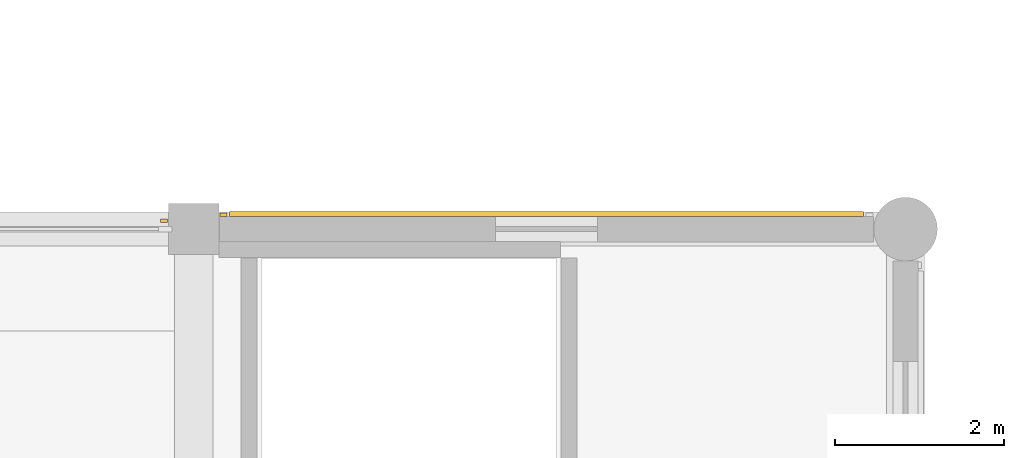
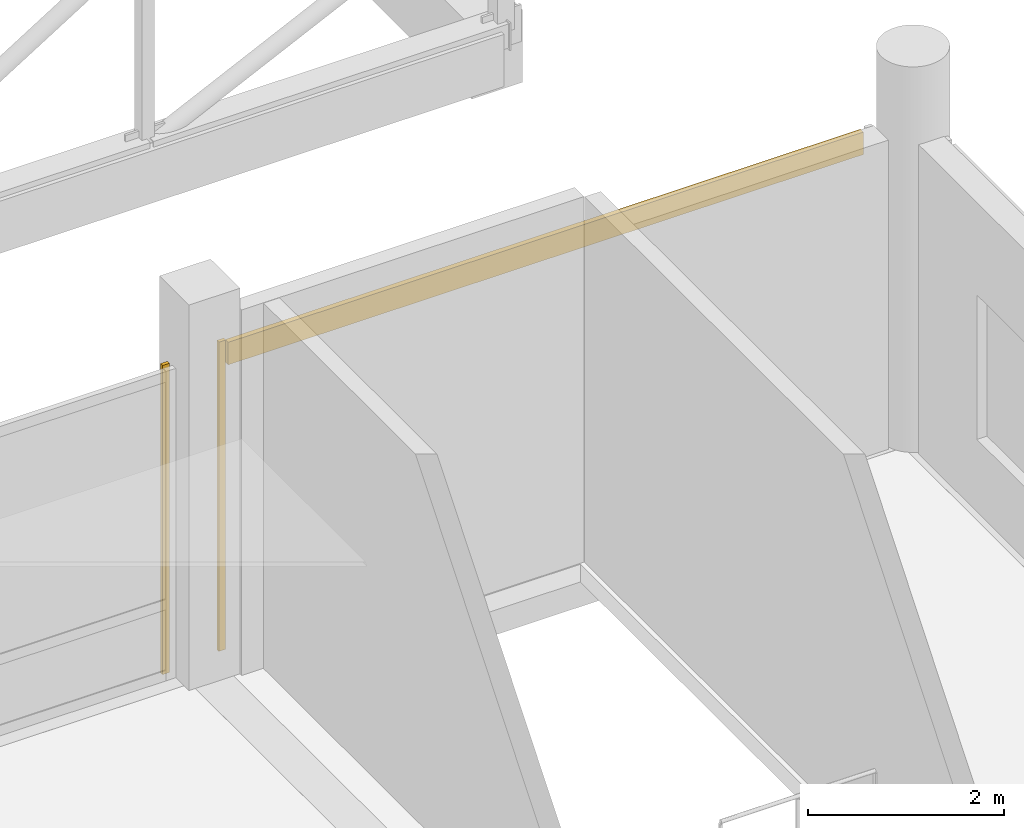
# One storey, part 120 of 122: 3 coverings.
"""IFC4 building model written with IfcOpenShell, lengths in metres."""

import ifcopenshell
import ifcopenshell.guid

model = None  # the IFC model being written
_history = None  # IfcOwnerHistory: only IFC2X3 demands one
_inside = {}  # id of a spatial element -> (the spatial element, [elements in it])
_under = {}  # id of a project, library or spatial element -> (it, [spatial elements below it])
_declared = {}  # id of a project -> (the project, [libraries it declares])
_typed = {}  # id of a type object -> (the type object, [elements of that type])
_made_of = {}  # id of a material, layer set ... -> (it, [elements and type objects made of it])


def new_model(schema):
    """Start an empty IFC model of exactly this schema.

    Asked for "IFC4X3", IfcOpenShell would pick the latest addendum, in which some entities
    have other attributes; the version numbers below select the first issue.
    IFC2X3 requires an IfcOwnerHistory on every rooted entity: one is made here for all.
    """
    global model, _history
    if schema == "IFC4X3":
        model = ifcopenshell.file(schema_version=(4, 3, 0, 0))
    else:
        model = ifcopenshell.file(schema=schema)
    _inside.clear()
    _under.clear()
    _declared.clear()
    _typed.clear()
    _made_of.clear()
    _history = None
    if model.schema == "IFC2X3":
        org = make("IfcOrganization", Name="unknown")
        user = make(
            "IfcPersonAndOrganization",
            ThePerson=make("IfcPerson", FamilyName="unknown"),
            TheOrganization=org,
        )
        app = make(
            "IfcApplication",
            ApplicationDeveloper=org,
            Version="unknown",
            ApplicationFullName="unknown",
            ApplicationIdentifier="unknown",
        )
        _history = make(
            "IfcOwnerHistory",
            OwningUser=user,
            OwningApplication=app,
            ChangeAction="ADDED",
            CreationDate=0,
        )
    return model


def make(cls, **values):
    """One entity of the class cls with the attributes given. An attribute that is None is left unset."""
    return model.create_entity(
        cls, **{name: value for name, value in values.items() if value is not None}
    )


def rooted(cls, **values):
    """An entity with a GlobalId (a new one), such as an element, a storey or a relation."""
    return make(cls, GlobalId=ifcopenshell.guid.new(), OwnerHistory=_history, **values)


def si_unit(unit_type, name, prefix=None):
    """IfcSIUnit, for example si_unit("LENGTHUNIT", "METRE", prefix="MILLI")."""
    return make("IfcSIUnit", UnitType=unit_type, Prefix=prefix, Name=name)


def assignment(units):
    """IfcUnitAssignment: the units of a project."""
    return None if units is None else make("IfcUnitAssignment", Units=units)


def point(xyz):
    """IfcCartesianPoint."""
    return None if xyz is None else make("IfcCartesianPoint", Coordinates=xyz)


def direction(xyz):
    """IfcDirection."""
    return None if xyz is None else make("IfcDirection", DirectionRatios=xyz)


def frame(location, z_axis=None, x_axis=None):
    """IfcAxis2Placement3D, a coordinate frame: its origin and axes. An axis left out is left unset."""
    return make(
        "IfcAxis2Placement3D",
        Location=point(location),
        Axis=direction(z_axis),
        RefDirection=direction(x_axis),
    )


def frame_2d(location, x_axis=None):
    """IfcAxis2Placement2D, a coordinate frame in the plane: its origin and x axis."""
    return make(
        "IfcAxis2Placement2D", Location=point(location), RefDirection=direction(x_axis)
    )


def origin():
    """The frame at (0, 0, 0) with its axes left unset."""
    return frame((0.0, 0.0, 0.0))


def origin_2d():
    """The frame at (0, 0) in the plane with its x axis left unset."""
    return frame_2d((0.0, 0.0))


def place(relative_to, where):
    """IfcLocalPlacement: puts the frame where relative to a parent placement (None: the world)."""
    return make(
        "IfcLocalPlacement", PlacementRelTo=relative_to, RelativePlacement=where
    )


def context(
    kind, dimensions, precision=None, world=None, true_north=None, identifier=None
):
    """IfcGeometricRepresentationContext, for example the 3D "Model" context."""
    return make(
        "IfcGeometricRepresentationContext",
        ContextIdentifier=identifier,
        ContextType=kind,
        CoordinateSpaceDimension=dimensions,
        Precision=precision,
        WorldCoordinateSystem=world,
        TrueNorth=true_north,
    )


def subcontext(parent, identifier, kind, view, scale=None):
    """IfcGeometricRepresentationSubContext, for example "Body" below "Model"."""
    return make(
        "IfcGeometricRepresentationSubContext",
        ContextIdentifier=identifier,
        ContextType=kind,
        ParentContext=parent,
        TargetScale=scale,
        TargetView=view,
    )


def project(units=None, contexts=None):
    """IfcProject with its units and contexts."""
    return rooted(
        "IfcProject",
        Name="project",
        RepresentationContexts=contexts,
        UnitsInContext=assignment(units),
    )


def spatial(cls, under=None, at=None, **own):
    """A site, building, storey or space (cls), placed at a placement, below another one or the project."""
    s = rooted(cls, ObjectPlacement=at, **own)
    if under is not None:
        _under.setdefault(under.id(), (under, []))[1].append(s)
    return s


def profile(cls, at=None, kind="AREA", **sizes):
    """A parametric profile (cls). Its sizes go by their IFC names, for example OverallWidth=200.0."""
    return make(cls, ProfileType=kind, Position=at, **sizes)


def rectangle(**sizes):
    """IfcRectangleProfileDef."""
    return profile("IfcRectangleProfileDef", **sizes)


def extrude(swept, where, along, depth):
    """IfcExtrudedAreaSolid: the profile swept, set in the frame where, extruded along a direction by depth."""
    return make(
        "IfcExtrudedAreaSolid",
        SweptArea=swept,
        Position=where,
        ExtrudedDirection=direction(along),
        Depth=depth,
    )


def shape(context_of_items, identifier, shape_type, items):
    """IfcShapeRepresentation: the items that make up one representation, for example the "Body"."""
    return make(
        "IfcShapeRepresentation",
        ContextOfItems=context_of_items,
        RepresentationIdentifier=identifier,
        RepresentationType=shape_type,
        Items=items,
    )


def material(Name=None, Category=None):
    """IfcMaterial."""
    return make("IfcMaterial", Name=Name, Category=Category)


def layer(
    of_material, thickness, ventilated=None, Name=None, Category=None, Priority=None
):
    """IfcMaterialLayer: one layer of a wall or slab, of a material (None: an air gap)."""
    return make(
        "IfcMaterialLayer",
        Material=of_material,
        LayerThickness=thickness,
        IsVentilated=ventilated,
        Name=Name,
        Category=Category,
        Priority=Priority,
    )


def layer_set(layers, Name=None):
    """IfcMaterialLayerSet."""
    return make("IfcMaterialLayerSet", MaterialLayers=layers, LayerSetName=Name)


def made_of(thing, what):
    """Note that an element or type object is made of a material, layer set ...; save() writes the relation."""
    if what is not None:
        _made_of.setdefault(what.id(), (what, []))[1].append(thing)
    return thing


def type_object(cls, material=None, **own):
    """A type object (cls), such as IfcWallType, which elements share."""
    return made_of(rooted(cls, **own), material)


def element(
    cls,
    number,
    at=None,
    inside=None,
    cuts=None,
    type_object=None,
    material=None,
    context=None,
    identifier="Body",
    shape_type=None,
    held_by="IfcProductDefinitionShape",
    body=None,
    shapes=None,
    **own,
):
    """One element of the class cls, such as IfcWall. Its Tag is "e" and its number.

    at: its placement. inside: the storey or other place that contains it. cuts: it is an
    opening in that element (IfcRelVoidsElement). A single representation is given by context,
    identifier, shape_type and body (its items); several are given by shapes. held_by: the class
    of the entity that holds the representations. save() writes the other relations.
    """
    e = rooted(cls, Tag="e%d" % number, ObjectPlacement=at, **own)
    if body is not None:
        shapes = [shape(context, identifier, shape_type, body)]
    if shapes is not None:
        e.Representation = make(held_by, Representations=shapes)
    if inside is not None:
        _inside.setdefault(inside.id(), (inside, []))[1].append(e)
    if cuts is not None:
        rooted(
            "IfcRelVoidsElement", RelatingBuildingElement=cuts, RelatedOpeningElement=e
        )
    if type_object is not None:
        _typed.setdefault(type_object.id(), (type_object, []))[1].append(e)
    return made_of(e, material)


def aggregate(whole, parts):
    """IfcRelAggregates: a whole, such as a stair, and the parts it consists of."""
    return rooted("IfcRelAggregates", RelatingObject=whole, RelatedObjects=parts)


def save(model, path):
    """Write the relations noted so far, then the file.

    IfcRelAggregates (storeys below a building ...), IfcRelContainedInSpatialStructure (elements
    in a storey), IfcRelDefinesByType, IfcRelAssociatesMaterial and IfcRelDeclares: one each for
    every whole, place, type object, material and project.
    """
    for whole, parts in _under.values():
        aggregate(whole, parts)
    for where, things in _inside.values():
        rooted(
            "IfcRelContainedInSpatialStructure",
            RelatedElements=things,
            RelatingStructure=where,
        )
    for kind, things in _typed.values():
        rooted("IfcRelDefinesByType", RelatedObjects=things, RelatingType=kind)
    for what, things in _made_of.values():
        rooted("IfcRelAssociatesMaterial", RelatedObjects=things, RelatingMaterial=what)
    for by, libraries in _declared.values():
        rooted("IfcRelDeclares", RelatingContext=by, RelatedDefinitions=libraries)
    model.write(path)


model = new_model("IFC4")

# Units and contexts
model_context = context("Model", 3, precision=1e-05, world=origin(), true_north=direction((0.0, 1.0)))
body_context = subcontext(model_context, "Body", "Model", "MODEL_VIEW")
ifc_project = project(units=[si_unit("LENGTHUNIT", "METRE"), si_unit("AREAUNIT", "SQUARE_METRE"), si_unit("VOLUMEUNIT", "CUBIC_METRE"), si_unit("PLANEANGLEUNIT", "RADIAN"), si_unit("MASSUNIT", "GRAM", prefix="KILO")], contexts=[model_context])

# Site, building, storey
site_placement = place(None, origin())
site = spatial("IfcSite", under=ifc_project, at=site_placement, CompositionType="ELEMENT")
building_placement = place(site_placement, origin())
building = spatial("IfcBuilding", under=site, at=building_placement, Name="Telukmera Botanical Conservatory", CompositionType="ELEMENT")
storey_placement = place(building_placement, frame((0.0, 0.0, 10.199951171875)))
storey = spatial("IfcBuildingStorey", under=building, at=storey_placement, Name="L02", CompositionType="ELEMENT", Elevation=10.199951171875)

# Coverings
ifc_material_1 = material(Name="Granite-faced precast concrete C40/50", Category="masonry")
ifc_layer_1 = layer(ifc_material_1, 0.0400390625)
ifc_layer_set_1 = layer_set([ifc_layer_1], Name="Granite-faced precast concrete C40/50")
covering_type_1 = type_object("IfcCoveringType", Name="Granite Precast Column Pier Reveal Casing", PredefinedType="CLADDING", material=ifc_layer_set_1)
for number, where, z_axis, x_axis, name in (
    (1, (33.248046875, 74.89990234375, 0.0), (0.0, 0.0, 1.0), (1.0, 0.0, 0.0), "Granite Pier Reveal V3:L02:N3 R"),
    (2, (33.951904296875, 74.969970703125, 0.0), (0.0, 0.0, 1.0), (1.0, 0.0, 0.0), "Granite Pier Reveal V3:L02:N4 L"),
):
    element("IfcCovering", number, at=place(storey_placement, frame(where, z_axis=z_axis, x_axis=x_axis)), inside=storey, type_object=covering_type_1, Name=name, PredefinedType="CLADDING", context=body_context, shape_type="SweptSolid", body=[
        extrude(rectangle(XDim=0.080078125, YDim=0.0400390625, at=origin_2d()), origin(), (0.0, 0.0, 1.0), 3.85009765625),
    ])
ifc_material_2 = material(Name="Terracotta-faced precast concrete C40/50", Category="masonry")
ifc_layer_2 = layer(ifc_material_2, 0.06005859375)
ifc_layer_set_2 = layer_set([ifc_layer_2], Name="Terracotta-faced precast concrete C40/50")
covering_type_2 = type_object("IfcCoveringType", Name="Polychrome Terracotta Facade Band Cladding", PredefinedType="CLADDING", material=ifc_layer_set_2)
covering_placement = place(storey_placement, frame((37.762451171875, 74.97998046875, 3.5302734375), z_axis=(0.0, 0.0, 1.0), x_axis=(1.0, 0.0, 0.0)))
element("IfcCovering", 3, at=covering_placement, inside=storey, type_object=covering_type_2, Name="Polychrome Terracotta Band V3:L02:N4", PredefinedType="CLADDING", context=body_context, shape_type="SweptSolid", body=[
    extrude(rectangle(XDim=7.48095703125, YDim=0.06005859375, at=origin_2d()), origin(), (0.0, 0.0, 1.0), 0.280029296875),
])

save(model, "model.ifc")
